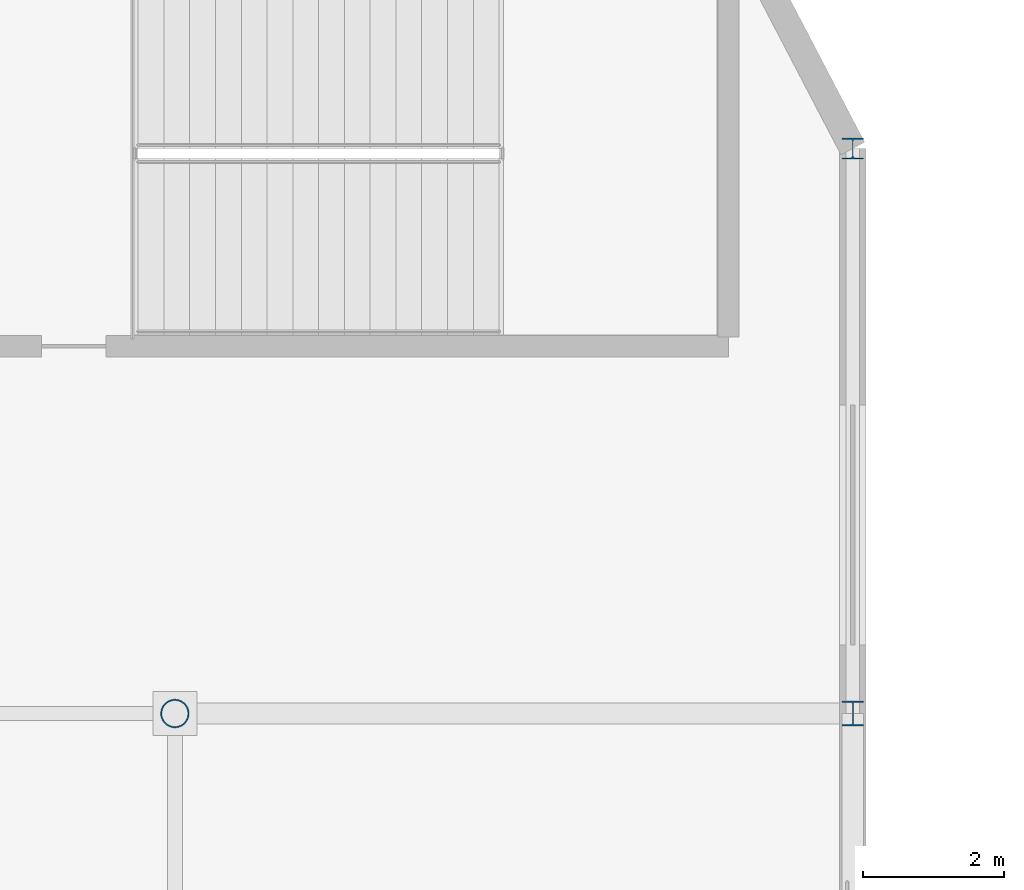
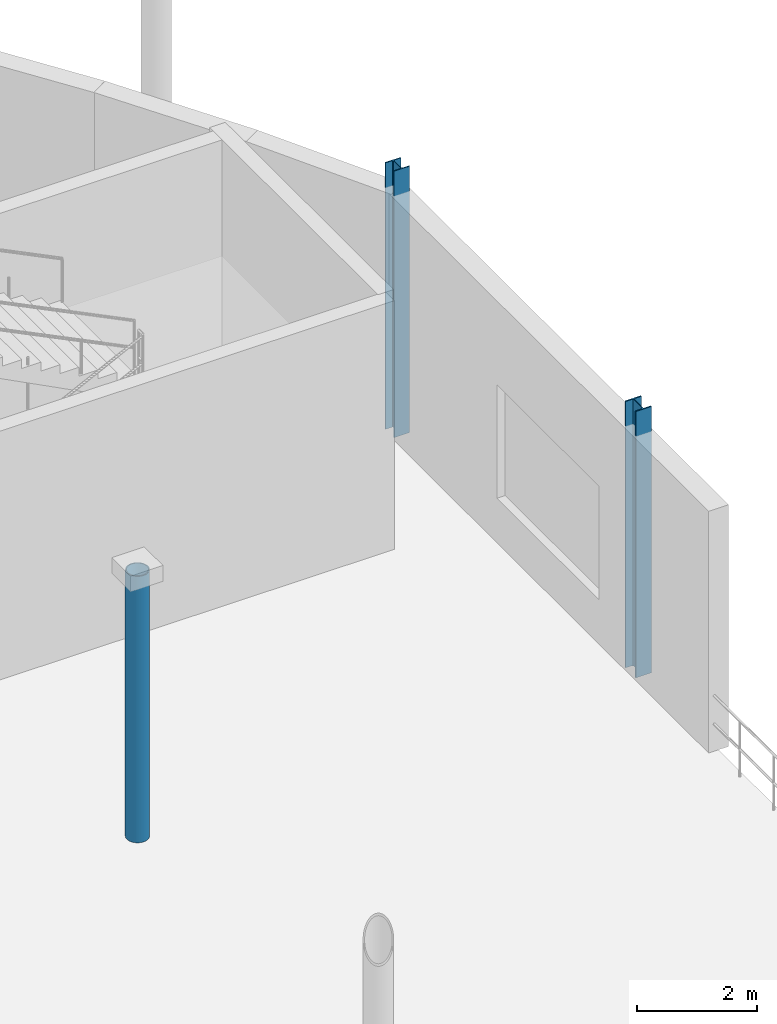
# One storey, part 22 of 129: 3 columns.
"""IFC4 building model written with IfcOpenShell, lengths in metres."""

from ifc_helpers import new_model, si_unit, direction, frame, origin, origin_2d, place, context, subcontext, project, spatial, hollow_circle, i_section, extrude, material, material_profile, profile_set, type_object, element, save


model = new_model("IFC4")

# Units and contexts
model_context = context("Model", 3, precision=1e-05, world=origin(), true_north=direction((0.0, 1.0)))
body_context = subcontext(model_context, "Body", "Model", "MODEL_VIEW")
ifc_project = project(units=[si_unit("LENGTHUNIT", "METRE"), si_unit("AREAUNIT", "SQUARE_METRE"), si_unit("VOLUMEUNIT", "CUBIC_METRE"), si_unit("PLANEANGLEUNIT", "RADIAN"), si_unit("MASSUNIT", "GRAM", prefix="KILO")], contexts=[model_context])

# Site, building, storey
site_placement = place(None, origin())
site = spatial("IfcSite", under=ifc_project, at=site_placement, CompositionType="ELEMENT")
building_placement = place(site_placement, origin())
building = spatial("IfcBuilding", under=site, at=building_placement, Name="Danafjord Basin Convention Centre", CompositionType="ELEMENT")
storey_placement = place(building_placement, frame((0.0, 0.0, 6.0)))
storey = spatial("IfcBuildingStorey", under=building, at=storey_placement, Name="L01", CompositionType="ELEMENT", Elevation=6.0)

# Columns
ifc_material = material(Name="Steel S355", Category="steel")
ifc_material_profile_1 = material_profile(ifc_material, hollow_circle(Radius=0.203125, WallThickness=0.02001953125, at=origin_2d()), Name="CHS 406.4x20.0")
ifc_profile_set_1 = profile_set([ifc_material_profile_1], Name="Steel S355")
column_type_1 = type_object("IfcColumnType", Name="COL-C-CHS406", PredefinedType="COLUMN", material=ifc_profile_set_1)
column_1_placement = place(storey_placement, frame((192.0, 112.0, 0.0), z_axis=(0.0, 0.0, 1.0), x_axis=(1.0, 0.0, 0.0)))
element("IfcColumn", 1, at=column_1_placement, inside=storey, type_object=column_type_1, Name="L01 column C-CHS406 at (192.0, 112.0)", PredefinedType="COLUMN", context=body_context, shape_type="SweptSolid", body=[
    extrude(hollow_circle(Radius=0.203125, WallThickness=0.02001953125, at=origin_2d()), origin(), (0.0, 0.0, 1.0), 5.39990234375),
])
ifc_material_profile_2 = material_profile(ifc_material, i_section(OverallWidth=0.300048828125, OverallDepth=0.300048828125, WebThickness=0.010986328125, FlangeThickness=0.01904296875, FilletRadius=0.027099609375, at=origin_2d()), Name="HEB 300")
ifc_profile_set_2 = profile_set([ifc_material_profile_2], Name="Steel S355")
column_type_2 = type_object("IfcColumnType", Name="COL-C-HEB300", PredefinedType="COLUMN", material=ifc_profile_set_2)
column_2_placement = place(storey_placement, frame((201.60009765625, 120.0, 0.0), z_axis=(0.0, 0.0, 1.0), x_axis=(1.0, 0.0, 0.0)))
element("IfcColumn", 2, at=column_2_placement, inside=storey, type_object=column_type_2, Name="L01 column C-HEB300 at (201.6, 120.0)", PredefinedType="COLUMN", context=body_context, shape_type="SweptSolid", body=[
    extrude(i_section(OverallWidth=0.300048828125, OverallDepth=0.300048828125, WebThickness=0.010986328125, FlangeThickness=0.01904296875, FilletRadius=0.027099609375, at=origin_2d()), origin(), (0.0, 0.0, 1.0), 5.39990234375),
])
ifc_material_profile_3 = material_profile(ifc_material, i_section(OverallWidth=0.300048828125, OverallDepth=0.360107421875, WebThickness=0.012451171875, FlangeThickness=0.0224609375, FilletRadius=0.027099609375, at=origin_2d()), Name="HEB 360")
ifc_profile_set_3 = profile_set([ifc_material_profile_3], Name="Steel S355")
column_type_3 = type_object("IfcColumnType", Name="COL-C-HEB360", PredefinedType="COLUMN", material=ifc_profile_set_3)
column_3_placement = place(storey_placement, frame((201.60009765625, 112.0, 0.0), z_axis=(0.0, 0.0, 1.0), x_axis=(1.0, 0.0, 0.0)))
element("IfcColumn", 3, at=column_3_placement, inside=storey, type_object=column_type_3, Name="L01 column C-HEB360 at (201.6, 112.0)", PredefinedType="COLUMN", context=body_context, shape_type="SweptSolid", body=[
    extrude(i_section(OverallWidth=0.300048828125, OverallDepth=0.360107421875, WebThickness=0.012451171875, FlangeThickness=0.0224609375, FilletRadius=0.027099609375, at=origin_2d()), origin(), (0.0, 0.0, 1.0), 5.39990234375),
])

save(model, "model.ifc")
